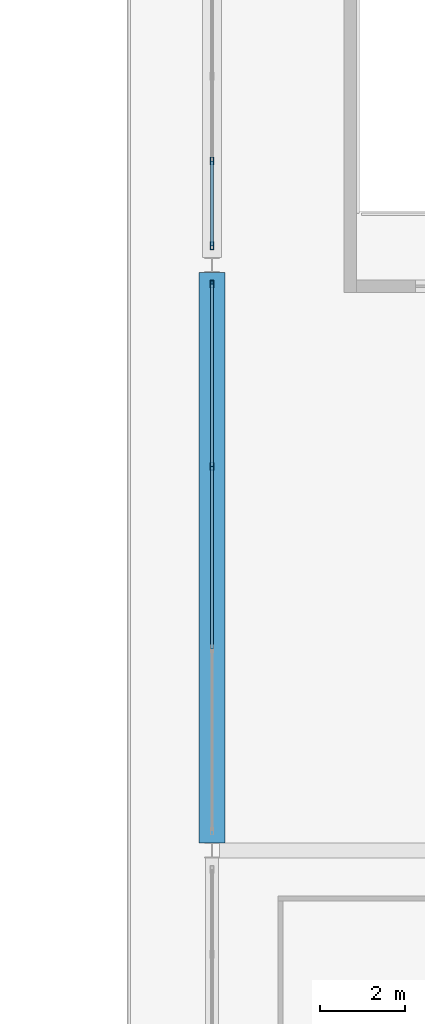
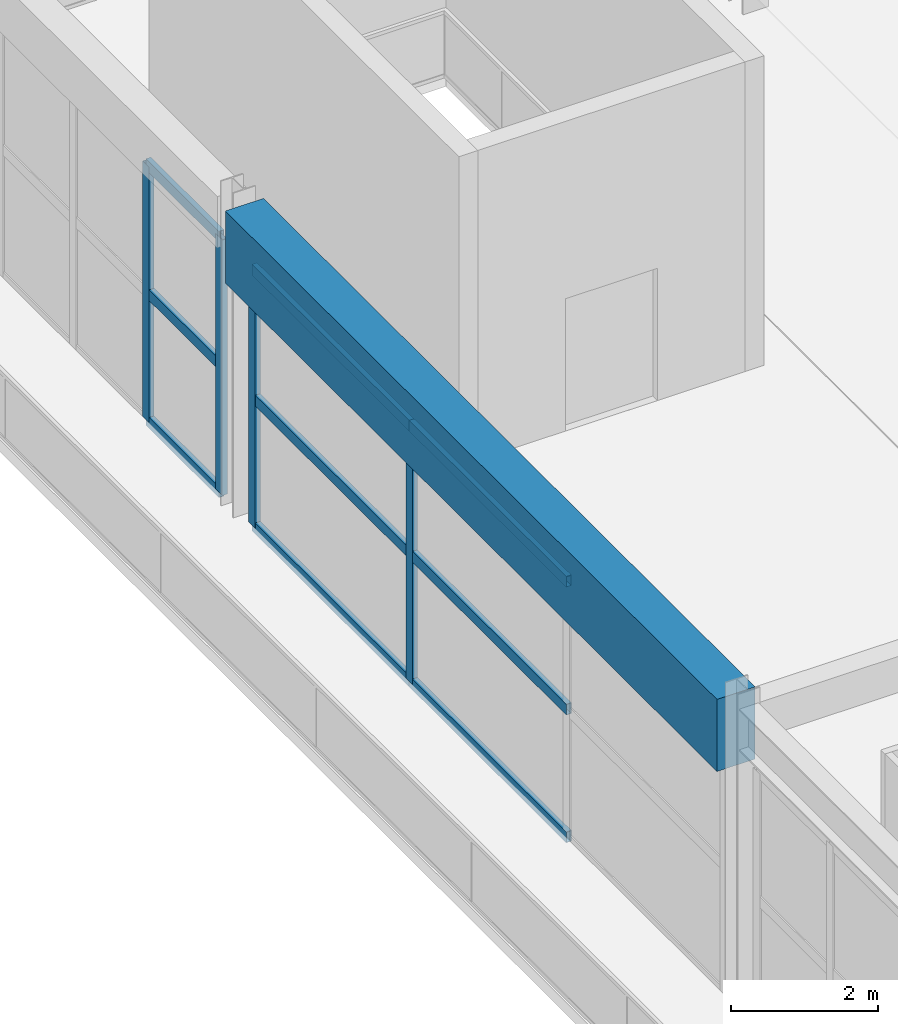
# One storey, part 49 of 117: 13 members, 1 beam, 2 elements without a shape of their own.
"""IFC4 building model written with IfcOpenShell, lengths in metres."""

from ifc_helpers import new_model, si_unit, direction, frame, origin, origin_2d, place, context, subcontext, project, spatial, rectangle, hollow_rectangle, extrude, material, material_profile, profile_set, type_object, element, aggregate, save


model = new_model("IFC4")

# Units and contexts
model_context = context("Model", 3, precision=1e-05, world=origin(), true_north=direction((0.0, 1.0)))
body_context = subcontext(model_context, "Body", "Model", "MODEL_VIEW")
ifc_project = project(units=[si_unit("LENGTHUNIT", "METRE"), si_unit("AREAUNIT", "SQUARE_METRE"), si_unit("VOLUMEUNIT", "CUBIC_METRE"), si_unit("PLANEANGLEUNIT", "RADIAN"), si_unit("MASSUNIT", "GRAM", prefix="KILO")], contexts=[model_context])

# Site, building, storey
site_placement = place(None, origin())
site = spatial("IfcSite", under=ifc_project, at=site_placement, CompositionType="ELEMENT")
building_placement = place(site_placement, origin())
building = spatial("IfcBuilding", under=site, at=building_placement, Name="Linyun Crest Stadium", CompositionType="ELEMENT")
storey_placement = place(building_placement, frame((0.0, 0.0, 6.0)))
storey = spatial("IfcBuildingStorey", under=building, at=storey_placement, Name="L02", CompositionType="ELEMENT", Elevation=6.0)

# Curtain wall, members
ifc_material_1 = material(Name="Verdigris steel and low-E curtain wall assembly", Category="steel")
curtain_wall_type = type_object("IfcCurtainWallType", Name="MCW05", PredefinedType="NOTDEFINED", material=ifc_material_1)
curtain_wall_1_placement = place(storey_placement, origin())
curtain_wall_1 = element("IfcCurtainWall", 1, at=curtain_wall_1_placement, inside=storey, type_object=curtain_wall_type, Name="CWR-162", PredefinedType="NOTDEFINED")
ifc_material_2 = material(Name="Verdigris painted steel Q355B mullion", Category="steel")
ifc_material_profile_1 = material_profile(ifc_material_2, hollow_rectangle(XDim=0.080078125, YDim=0.179931640625, WallThickness=0.006103515625, at=origin_2d()), Name="RHS 180x80x6")
ifc_profile_set_1 = profile_set([ifc_material_profile_1], Name="Verdigris painted steel Q355B mullion")
member_type_1 = type_object("IfcMemberType", Name="ML02", PredefinedType="MULLION", material=ifc_profile_set_1)
member_1_placement = place(storey_placement, frame((58.0, -78.23291015625, 0.0), z_axis=(0.0, 0.0, 1.0), x_axis=(-1.0, 0.0, 0.0)))
member_1 = element("IfcMember", 2, at=member_1_placement, type_object=member_type_1, Name="CWR-162 mullion 3", PredefinedType="MULLION", context=body_context, shape_type="SweptSolid", body=[
    extrude(hollow_rectangle(XDim=0.080078125, YDim=0.179931640625, WallThickness=0.006103515625, at=origin_2d()), origin(), (0.0, 0.0, 1.0), 4.25),
])
member_2_placement = place(storey_placement, frame((58.0, -73.949951171875, 0.0), z_axis=(0.0, 0.0, 1.0), x_axis=(-1.0, 0.0, 0.0)))
member_2 = element("IfcMember", 3, at=member_2_placement, type_object=member_type_1, Name="CWR-162 mullion 4", PredefinedType="MULLION", context=body_context, shape_type="SweptSolid", body=[
    extrude(hollow_rectangle(XDim=0.080078125, YDim=0.179931640625, WallThickness=0.006103515625, at=origin_2d()), origin(), (0.0, 0.0, 1.0), 4.25),
])

curtain_wall_2_placement = place(storey_placement, origin())
curtain_wall_2 = element("IfcCurtainWall", 4, at=curtain_wall_2_placement, inside=storey, type_object=curtain_wall_type, Name="CWR-163", PredefinedType="NOTDEFINED")
member_3_placement = place(storey_placement, frame((58.0, -73.050048828125, 0.0), z_axis=(0.0, 0.0, 1.0), x_axis=(-1.0, 0.0, 0.0)))
member_3 = element("IfcMember", 5, at=member_3_placement, type_object=member_type_1, Name="CWR-163 mullion 1", PredefinedType="MULLION", context=body_context, shape_type="SweptSolid", body=[
    extrude(hollow_rectangle(XDim=0.080078125, YDim=0.179931640625, WallThickness=0.006103515625, at=origin_2d()), origin(), (0.0, 0.0, 1.0), 4.25),
])
member_4_placement = place(storey_placement, frame((58.0, -71.05810546875, 0.0), z_axis=(0.0, 0.0, 1.0), x_axis=(-1.0, 0.0, 0.0)))
member_4 = element("IfcMember", 6, at=member_4_placement, type_object=member_type_1, Name="CWR-163 mullion 2", PredefinedType="MULLION", context=body_context, shape_type="SweptSolid", body=[
    extrude(hollow_rectangle(XDim=0.080078125, YDim=0.179931640625, WallThickness=0.006103515625, at=origin_2d()), origin(), (0.0, 0.0, 1.0), 4.25),
])

# Beam
ifc_material_3 = material(Name="Concrete C50", Category="concrete")
ifc_material_profile_2 = material_profile(ifc_material_3, rectangle(XDim=0.60009765625, YDim=1.199951171875, at=origin_2d()), Name="RCB 1200x600")
ifc_profile_set_2 = profile_set([ifc_material_profile_2], Name="Concrete C50")
beam_type = type_object("IfcBeamType", Name="TB02", PredefinedType="USERDEFINED", material=ifc_profile_set_2)
beam_placement = place(storey_placement, frame((58.0, -87.074951171875, 4.550048828125), z_axis=(0.0, 1.0, 0.0), x_axis=(-1.0, 0.0, 0.0)))
element("IfcBeam", 7, at=beam_placement, inside=storey, type_object=beam_type, Name="Frame beam TB02 L02 1111", ObjectType="GIRDER", PredefinedType="USERDEFINED", context=body_context, shape_type="SweptSolid", body=[
    extrude(rectangle(XDim=0.60009765625, YDim=1.199951171875, at=origin_2d()), origin(), (0.0, 0.0, 1.0), 13.39990234375),
])

# Member
ifc_material_4 = material(Name="Verdigris painted steel Q355B transom", Category="steel")
ifc_material_profile_3 = material_profile(ifc_material_4, hollow_rectangle(XDim=0.080078125, YDim=0.179931640625, WallThickness=0.006103515625, at=origin_2d()), Name="RHS 180x80x6")
ifc_profile_set_3 = profile_set([ifc_material_profile_3], Name="Verdigris painted steel Q355B transom")
member_type_2 = type_object("IfcMemberType", Name="TR02", PredefinedType="USERDEFINED", material=ifc_profile_set_3)
member_5_placement = place(storey_placement, frame((58.0, -82.51708984375, 0.0), z_axis=(0.0, 1.0, 0.0), x_axis=(-1.0, 0.0, 0.0)))
member_5 = element("IfcMember", 8, at=member_5_placement, type_object=member_type_2, Name="CWR-162 transom 2.1", ObjectType="TRANSOM", PredefinedType="USERDEFINED", context=body_context, shape_type="SweptSolid", body=[
    extrude(hollow_rectangle(XDim=0.080078125, YDim=0.179931640625, WallThickness=0.006103515625, at=origin_2d()), origin(), (0.0, 0.0, 1.0), 4.2841796875),
])

member_6_placement = place(storey_placement, frame((58.0, -82.51708984375, 2.125), z_axis=(0.0, 1.0, 0.0), x_axis=(-1.0, 0.0, 0.0)))
member_6 = element("IfcMember", 9, at=member_6_placement, type_object=member_type_2, Name="CWR-162 transom 2.2", ObjectType="TRANSOM", PredefinedType="USERDEFINED", context=body_context, shape_type="SweptSolid", body=[
    extrude(hollow_rectangle(XDim=0.080078125, YDim=0.179931640625, WallThickness=0.006103515625, at=origin_2d()), origin(), (0.0, 0.0, 1.0), 4.2841796875),
])

member_7_placement = place(storey_placement, frame((58.0, -82.51708984375, 4.25), z_axis=(0.0, 1.0, 0.0), x_axis=(-1.0, 0.0, 0.0)))
member_7 = element("IfcMember", 10, at=member_7_placement, type_object=member_type_2, Name="CWR-162 transom 2.3", ObjectType="TRANSOM", PredefinedType="USERDEFINED", context=body_context, shape_type="SweptSolid", body=[
    extrude(hollow_rectangle(XDim=0.080078125, YDim=0.179931640625, WallThickness=0.006103515625, at=origin_2d()), origin(), (0.0, 0.0, 1.0), 4.2841796875),
])

member_8_placement = place(storey_placement, frame((58.0, -78.23291015625, 0.0), z_axis=(0.0, 1.0, 0.0), x_axis=(-1.0, 0.0, 0.0)))
member_8 = element("IfcMember", 11, at=member_8_placement, type_object=member_type_2, Name="CWR-162 transom 3.1", ObjectType="TRANSOM", PredefinedType="USERDEFINED", context=body_context, shape_type="SweptSolid", body=[
    extrude(hollow_rectangle(XDim=0.080078125, YDim=0.179931640625, WallThickness=0.006103515625, at=origin_2d()), origin(), (0.0, 0.0, 1.0), 4.282958984375),
])

member_9_placement = place(storey_placement, frame((58.0, -78.23291015625, 2.125), z_axis=(0.0, 1.0, 0.0), x_axis=(-1.0, 0.0, 0.0)))
member_9 = element("IfcMember", 12, at=member_9_placement, type_object=member_type_2, Name="CWR-162 transom 3.2", ObjectType="TRANSOM", PredefinedType="USERDEFINED", context=body_context, shape_type="SweptSolid", body=[
    extrude(hollow_rectangle(XDim=0.080078125, YDim=0.179931640625, WallThickness=0.006103515625, at=origin_2d()), origin(), (0.0, 0.0, 1.0), 4.282958984375),
])

member_10_placement = place(storey_placement, frame((58.0, -78.23291015625, 4.25), z_axis=(0.0, 1.0, 0.0), x_axis=(-1.0, 0.0, 0.0)))
member_10 = element("IfcMember", 13, at=member_10_placement, type_object=member_type_2, Name="CWR-162 transom 3.3", ObjectType="TRANSOM", PredefinedType="USERDEFINED", context=body_context, shape_type="SweptSolid", body=[
    extrude(hollow_rectangle(XDim=0.080078125, YDim=0.179931640625, WallThickness=0.006103515625, at=origin_2d()), origin(), (0.0, 0.0, 1.0), 4.282958984375),
])

aggregate(curtain_wall_1, [member_1, member_2, member_5, member_6, member_7, member_8, member_9, member_10])

member_11_placement = place(storey_placement, frame((58.0, -73.050048828125, 0.0), z_axis=(0.0, 1.0, 0.0), x_axis=(-1.0, 0.0, 0.0)))
member_11 = element("IfcMember", 14, at=member_11_placement, type_object=member_type_2, Name="CWR-163 transom 1.1", ObjectType="TRANSOM", PredefinedType="USERDEFINED", context=body_context, shape_type="SweptSolid", body=[
    extrude(hollow_rectangle(XDim=0.080078125, YDim=0.179931640625, WallThickness=0.006103515625, at=origin_2d()), origin(), (0.0, 0.0, 1.0), 1.991943359375),
])

member_12_placement = place(storey_placement, frame((58.0, -73.050048828125, 2.125), z_axis=(0.0, 1.0, 0.0), x_axis=(-1.0, 0.0, 0.0)))
member_12 = element("IfcMember", 15, at=member_12_placement, type_object=member_type_2, Name="CWR-163 transom 1.2", ObjectType="TRANSOM", PredefinedType="USERDEFINED", context=body_context, shape_type="SweptSolid", body=[
    extrude(hollow_rectangle(XDim=0.080078125, YDim=0.179931640625, WallThickness=0.006103515625, at=origin_2d()), origin(), (0.0, 0.0, 1.0), 1.991943359375),
])

member_13_placement = place(storey_placement, frame((58.0, -73.050048828125, 4.25), z_axis=(0.0, 1.0, 0.0), x_axis=(-1.0, 0.0, 0.0)))
member_13 = element("IfcMember", 16, at=member_13_placement, type_object=member_type_2, Name="CWR-163 transom 1.3", ObjectType="TRANSOM", PredefinedType="USERDEFINED", context=body_context, shape_type="SweptSolid", body=[
    extrude(hollow_rectangle(XDim=0.080078125, YDim=0.179931640625, WallThickness=0.006103515625, at=origin_2d()), origin(), (0.0, 0.0, 1.0), 1.991943359375),
])

aggregate(curtain_wall_2, [member_3, member_4, member_11, member_12, member_13])

save(model, "model.ifc")
